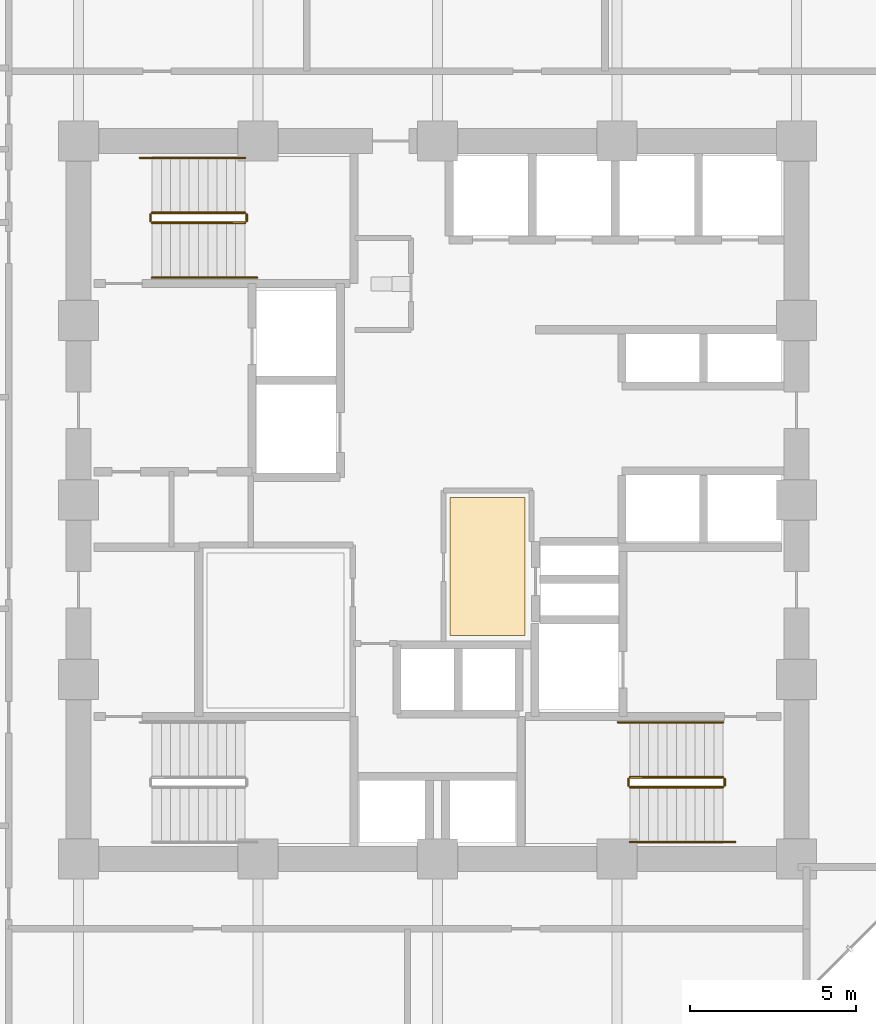
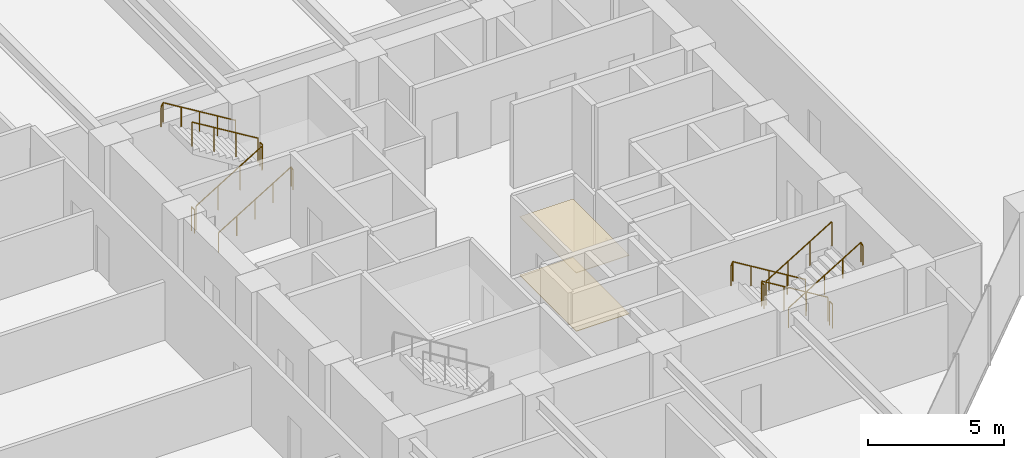
# One storey, part 25 of 27: 12 railings, 2 coverings.
"""IFC4 building model written with IfcOpenShell, lengths in metres."""

from ifc_helpers import new_model, si_unit, direction, frame, origin, origin_2d, place, context, subcontext, project, spatial, polyline, circle, outline, extrude, material, layer, layer_set, type_object, element, save


model = new_model("IFC4")

# Units and contexts
model_context = context("Model", 3, precision=1e-05, world=origin(), true_north=direction((0.0, 1.0)))
body_context = subcontext(model_context, "Body", "Model", "MODEL_VIEW")
ifc_project = project(units=[si_unit("LENGTHUNIT", "METRE"), si_unit("AREAUNIT", "SQUARE_METRE"), si_unit("VOLUMEUNIT", "CUBIC_METRE"), si_unit("PLANEANGLEUNIT", "RADIAN"), si_unit("MASSUNIT", "GRAM", prefix="KILO")], contexts=[model_context])

# Site, building, storey
site_placement = place(None, origin())
site = spatial("IfcSite", under=ifc_project, at=site_placement, CompositionType="ELEMENT")
building_placement = place(site_placement, origin())
building = spatial("IfcBuilding", under=site, at=building_placement, Name="Surkhivell Harbour Commons", CompositionType="ELEMENT")
storey_placement = place(building_placement, frame((0.0, 0.0, 56.25)))
storey = spatial("IfcBuildingStorey", under=building, at=storey_placement, Name="L14", CompositionType="ELEMENT", Elevation=56.25)

# Coverings
ifc_material_1 = material(Name="Perforated acoustic mineral-fibre ceiling tile", Category="other")
ifc_layer_1 = layer(ifc_material_1, 0.02490234375)
ifc_layer_set_1 = layer_set([ifc_layer_1], Name="Perforated acoustic mineral-fibre ceiling tile")
covering_type_1 = type_object("IfcCoveringType", Name="COV-CEIL-AC", PredefinedType="CEILING", material=ifc_layer_set_1)
covering_1_placement = place(storey_placement, frame((0.0, 0.0, 2.617919921875)))
element("IfcCovering", 1, at=covering_1_placement, inside=storey, type_object=covering_type_1, Name="L14 Suspended Acoustic Ceiling 1", PredefinedType="CEILING", context=body_context, shape_type="SweptSolid", body=[
    extrude(outline(polyline([(0.3701171875, -4.080078125), (2.6298828125, -4.080078125), (2.6298828125, 0.080078125), (0.3701171875, 0.080078125), (0.3701171875, -4.080078125)])), origin(), (0.0, 0.0, 1.0), 0.025146484375),
])
ifc_material_2 = material(Name="Engineered acoustic oak timber flooring", Category="wood")
ifc_layer_2 = layer(ifc_material_2, 0.02001953125)
ifc_layer_set_2 = layer_set([ifc_layer_2], Name="Engineered acoustic oak timber flooring")
covering_type_2 = type_object("IfcCoveringType", Name="COV-FLR-TIM", PredefinedType="FLOORING", material=ifc_layer_set_2)
covering_2_placement = place(storey_placement, origin())
element("IfcCovering", 2, at=covering_2_placement, inside=storey, type_object=covering_type_2, Name="L14 Interior Floor Finish 1", PredefinedType="FLOORING", context=body_context, shape_type="SweptSolid", body=[
    extrude(outline(polyline([(0.3701171875, -4.080078125), (2.6298828125, -4.080078125), (2.6298828125, 0.080078125), (0.3701171875, 0.080078125), (0.3701171875, -4.080078125)])), origin(), (0.0, 0.0, 1.0), 0.02001953125),
])

# Railings
ifc_material_3 = material(Name="Galvanised and painted steel S355 guard rail", Category="steel")
railing_type_1 = type_object("IfcRailingType", Name="RAL-ST-GRD1100", PredefinedType="GUARDRAIL", material=ifc_material_3)
railing_1_placement = place(storey_placement, frame((-8.590087890625, 8.340087890625, 0.17041015625)))
element("IfcRailing", 3, at=railing_1_placement, inside=storey, type_object=railing_type_1, Name="L14 ST1 stair guard 1", PredefinedType="GUARDRAIL", context=body_context, shape_type="SweptSolid", body=[
    extrude(circle(Radius=0.02392578125, at=origin_2d()), frame((0.0, 0.0, 1.076171875), z_axis=(0.854169791009, 0.0, 0.51999420009), x_axis=(0.0, 1.0, 0.0)), (0.0, 0.0, 1.0), 3.278076171875),
    extrude(circle(Radius=0.02099609375, at=origin_2d()), origin(), (0.0, 0.0, 1.0), 1.052001953125),
    extrude(circle(Radius=0.02099609375, at=origin_2d()), frame((0.933349609375, 0.0, 0.568115234375)), (0.0, 0.0, 1.0), 1.052001953125),
    extrude(circle(Radius=0.02099609375, at=origin_2d()), frame((1.86669921875, 0.0, 1.136474609375)), (0.0, 0.0, 1.0), 1.052001953125),
    extrude(circle(Radius=0.02099609375, at=origin_2d()), frame((2.800048828125, 0.0, 1.70458984375)), (0.0, 0.0, 1.0), 1.052001953125),
])
railing_2_placement = place(storey_placement, frame((-5.739990234375, 8.389892578125, 1.875)))
element("IfcRailing", 4, at=railing_2_placement, inside=storey, type_object=railing_type_1, Name="L14 ST1 stair guard 2", PredefinedType="GUARDRAIL", context=body_context, shape_type="SweptSolid", body=[
    extrude(circle(Radius=0.02392578125, at=origin_2d()), frame((0.0, 0.0, 1.076171875), z_axis=(0.0, 1.0, 0.0), x_axis=(-1.0, 0.0, 0.0)), (0.0, 0.0, 1.0), 0.2001953125),
    extrude(circle(Radius=0.02099609375, at=origin_2d()), origin(), (0.0, 0.0, 1.0), 1.052001953125),
    extrude(circle(Radius=0.02099609375, at=origin_2d()), frame((0.0, 0.2001953125, 0.0)), (0.0, 0.0, 1.0), 1.052001953125),
])
railing_3_placement = place(storey_placement, frame((-5.7900390625, 8.639892578125, 2.04541015625)))
element("IfcRailing", 5, at=railing_3_placement, inside=storey, type_object=railing_type_1, Name="L14 ST1 stair guard 3", PredefinedType="GUARDRAIL", context=body_context, shape_type="SweptSolid", body=[
    extrude(circle(Radius=0.02392578125, at=origin_2d()), frame((0.0, 0.0, 1.076171875), z_axis=(-0.854169791009, 0.0, 0.51999420009), x_axis=(0.0, -1.0, 0.0)), (0.0, 0.0, 1.0), 3.278076171875),
    extrude(circle(Radius=0.02099609375, at=origin_2d()), origin(), (0.0, 0.0, 1.0), 1.052001953125),
    extrude(circle(Radius=0.02099609375, at=origin_2d()), frame((-0.933349609375, 0.0, 0.568115234375)), (0.0, 0.0, 1.0), 1.052001953125),
    extrude(circle(Radius=0.02099609375, at=origin_2d()), frame((-1.86669921875, 0.0, 1.136474609375)), (0.0, 0.0, 1.0), 1.052001953125),
    extrude(circle(Radius=0.02099609375, at=origin_2d()), frame((-2.800048828125, 0.0, 1.70458984375)), (0.0, 0.0, 1.0), 1.052001953125),
])
railing_4_placement = place(storey_placement, frame((-8.639892578125, 8.389892578125, 0.0)))
element("IfcRailing", 6, at=railing_4_placement, inside=storey, type_object=railing_type_1, Name="L14 ST1 stair guard 4", PredefinedType="GUARDRAIL", context=body_context, shape_type="SweptSolid", body=[
    extrude(circle(Radius=0.02392578125, at=origin_2d()), frame((0.0, 0.0, 1.076171875), z_axis=(0.0, 1.0, 0.0), x_axis=(-1.0, 0.0, 0.0)), (0.0, 0.0, 1.0), 0.2001953125),
    extrude(circle(Radius=0.02099609375, at=origin_2d()), origin(), (0.0, 0.0, 1.0), 1.052001953125),
    extrude(circle(Radius=0.02099609375, at=origin_2d()), frame((0.0, 0.2001953125, 0.0)), (0.0, 0.0, 1.0), 1.052001953125),
])
railing_5_placement = place(storey_placement, frame((8.590087890625, -8.340087890625, 0.17041015625)))
element("IfcRailing", 7, at=railing_5_placement, inside=storey, type_object=railing_type_1, Name="L14 ST2 stair guard 1", PredefinedType="GUARDRAIL", context=body_context, shape_type="SweptSolid", body=[
    extrude(circle(Radius=0.02392578125, at=origin_2d()), frame((0.0, 0.0, 1.076171875), z_axis=(-0.854169791009, 0.0, 0.51999420009), x_axis=(0.0, -1.0, 0.0)), (0.0, 0.0, 1.0), 3.278076171875),
    extrude(circle(Radius=0.02099609375, at=origin_2d()), origin(), (0.0, 0.0, 1.0), 1.052001953125),
    extrude(circle(Radius=0.02099609375, at=origin_2d()), frame((-0.933349609375, 0.0, 0.568115234375)), (0.0, 0.0, 1.0), 1.052001953125),
    extrude(circle(Radius=0.02099609375, at=origin_2d()), frame((-1.86669921875, 0.0, 1.136474609375)), (0.0, 0.0, 1.0), 1.052001953125),
    extrude(circle(Radius=0.02099609375, at=origin_2d()), frame((-2.800048828125, 0.0, 1.70458984375)), (0.0, 0.0, 1.0), 1.052001953125),
])
railing_6_placement = place(storey_placement, frame((5.739990234375, -8.389892578125, 1.875)))
element("IfcRailing", 8, at=railing_6_placement, inside=storey, type_object=railing_type_1, Name="L14 ST2 stair guard 2", PredefinedType="GUARDRAIL", context=body_context, shape_type="SweptSolid", body=[
    extrude(circle(Radius=0.02392578125, at=origin_2d()), frame((0.0, 0.0, 1.076171875), z_axis=(0.0, -1.0, 0.0), x_axis=(1.0, 0.0, 0.0)), (0.0, 0.0, 1.0), 0.2001953125),
    extrude(circle(Radius=0.02099609375, at=origin_2d()), origin(), (0.0, 0.0, 1.0), 1.052001953125),
    extrude(circle(Radius=0.02099609375, at=origin_2d()), frame((0.0, -0.2001953125, 0.0)), (0.0, 0.0, 1.0), 1.052001953125),
])
railing_7_placement = place(storey_placement, frame((5.7900390625, -8.639892578125, 2.04541015625)))
element("IfcRailing", 9, at=railing_7_placement, inside=storey, type_object=railing_type_1, Name="L14 ST2 stair guard 3", PredefinedType="GUARDRAIL", context=body_context, shape_type="SweptSolid", body=[
    extrude(circle(Radius=0.02392578125, at=origin_2d()), frame((0.0, 0.0, 1.076171875), z_axis=(0.854169791009, 0.0, 0.51999420009), x_axis=(0.0, 1.0, 0.0)), (0.0, 0.0, 1.0), 3.278076171875),
    extrude(circle(Radius=0.02099609375, at=origin_2d()), origin(), (0.0, 0.0, 1.0), 1.052001953125),
    extrude(circle(Radius=0.02099609375, at=origin_2d()), frame((0.933349609375, 0.0, 0.568115234375)), (0.0, 0.0, 1.0), 1.052001953125),
    extrude(circle(Radius=0.02099609375, at=origin_2d()), frame((1.86669921875, 0.0, 1.136474609375)), (0.0, 0.0, 1.0), 1.052001953125),
    extrude(circle(Radius=0.02099609375, at=origin_2d()), frame((2.800048828125, 0.0, 1.70458984375)), (0.0, 0.0, 1.0), 1.052001953125),
])
railing_8_placement = place(storey_placement, frame((8.639892578125, -8.389892578125, 0.0)))
element("IfcRailing", 10, at=railing_8_placement, inside=storey, type_object=railing_type_1, Name="L14 ST2 stair guard 4", PredefinedType="GUARDRAIL", context=body_context, shape_type="SweptSolid", body=[
    extrude(circle(Radius=0.02392578125, at=origin_2d()), frame((0.0, 0.0, 1.076171875), z_axis=(0.0, -1.0, 0.0), x_axis=(1.0, 0.0, 0.0)), (0.0, 0.0, 1.0), 0.2001953125),
    extrude(circle(Radius=0.02099609375, at=origin_2d()), origin(), (0.0, 0.0, 1.0), 1.052001953125),
    extrude(circle(Radius=0.02099609375, at=origin_2d()), frame((0.0, -0.2001953125, 0.0)), (0.0, 0.0, 1.0), 1.052001953125),
])
ifc_material_4 = material(Name="Brushed stainless steel S355 handrail", Category="steel")
railing_type_2 = type_object("IfcRailingType", Name="RAL-ST-HND900", PredefinedType="HANDRAIL", material=ifc_material_4)
railing_9_placement = place(storey_placement, frame((-8.590087890625, 6.68994140625, 0.17041015625)))
element("IfcRailing", 11, at=railing_9_placement, inside=storey, type_object=railing_type_2, Name="L14 ST1 stair handrail 1", PredefinedType="HANDRAIL", context=body_context, shape_type="SweptSolid", body=[
    extrude(circle(Radius=0.02392578125, at=origin_2d()), frame((0.0, 0.0, 0.8759765625), z_axis=(0.854177636135, 0.0, 0.519981313056), x_axis=(0.0, 1.0, 0.0)), (0.0, 0.0, 1.0), 3.60595703125),
    extrude(circle(Radius=0.02392578125, at=origin_2d()), frame((3.080078125, 0.0, 2.7509765625), z_axis=(0.425297416671, 0.0, -0.905053648892), x_axis=(0.0, 1.0, 0.0)), (0.0, 0.0, 1.0), 0.188232421875),
    extrude(circle(Radius=0.02099609375, at=origin_2d()), origin(), (0.0, 0.0, 1.0), 0.851806640625),
    extrude(circle(Radius=0.02099609375, at=origin_2d()), frame((0.77001953125, 0.0, 0.46875)), (0.0, 0.0, 1.0), 0.851806640625),
    extrude(circle(Radius=0.02099609375, at=origin_2d()), frame((1.5400390625, 0.0, 0.9375)), (0.0, 0.0, 1.0), 0.851806640625),
    extrude(circle(Radius=0.02099609375, at=origin_2d()), frame((2.31005859375, 0.0, 1.40625)), (0.0, 0.0, 1.0), 0.851806640625),
    extrude(circle(Radius=0.02099609375, at=origin_2d()), frame((3.080078125, 0.0, 1.875)), (0.0, 0.0, 1.0), 0.851806640625),
    extrude(circle(Radius=0.02099609375, at=origin_2d()), frame((3.16015625, 0.0, 1.70458984375)), (0.0, 0.0, 1.0), 0.851806640625),
])
railing_10_placement = place(storey_placement, frame((-5.7900390625, 10.2900390625, 2.04541015625)))
element("IfcRailing", 12, at=railing_10_placement, inside=storey, type_object=railing_type_2, Name="L14 ST1 stair handrail 2", PredefinedType="HANDRAIL", context=body_context, shape_type="SweptSolid", body=[
    extrude(circle(Radius=0.02392578125, at=origin_2d()), frame((0.0, 0.0, 0.8759765625), z_axis=(-0.854177636135, 0.0, 0.519981313056), x_axis=(0.0, -1.0, 0.0)), (0.0, 0.0, 1.0), 3.60595703125),
    extrude(circle(Radius=0.02392578125, at=origin_2d()), frame((-3.080078125, 0.0, 2.7509765625), z_axis=(-0.424234432967, 0.0, -0.905552398199), x_axis=(0.0, -1.0, 0.0)), (0.0, 0.0, 1.0), 0.188232421875),
    extrude(circle(Radius=0.02099609375, at=origin_2d()), origin(), (0.0, 0.0, 1.0), 0.851806640625),
    extrude(circle(Radius=0.02099609375, at=origin_2d()), frame((-0.77001953125, 0.0, 0.46875)), (0.0, 0.0, 1.0), 0.851806640625),
    extrude(circle(Radius=0.02099609375, at=origin_2d()), frame((-1.5400390625, 0.0, 0.9375)), (0.0, 0.0, 1.0), 0.851806640625),
    extrude(circle(Radius=0.02099609375, at=origin_2d()), frame((-2.31005859375, 0.0, 1.40625)), (0.0, 0.0, 1.0), 0.851806640625),
    extrude(circle(Radius=0.02099609375, at=origin_2d()), frame((-3.080078125, 0.0, 1.875)), (0.0, 0.0, 1.0), 0.851806640625),
    extrude(circle(Radius=0.02099609375, at=origin_2d()), frame((-3.159912109375, 0.0, 1.70458984375)), (0.0, 0.0, 1.0), 0.851806640625),
])
railing_11_placement = place(storey_placement, frame((8.590087890625, -6.68994140625, 0.17041015625)))
element("IfcRailing", 13, at=railing_11_placement, inside=storey, type_object=railing_type_2, Name="L14 ST2 stair handrail 1", PredefinedType="HANDRAIL", context=body_context, shape_type="SweptSolid", body=[
    extrude(circle(Radius=0.02392578125, at=origin_2d()), frame((0.0, 0.0, 0.8759765625), z_axis=(-0.854177636135, 0.0, 0.519981313056), x_axis=(0.0, -1.0, 0.0)), (0.0, 0.0, 1.0), 3.60595703125),
    extrude(circle(Radius=0.02392578125, at=origin_2d()), frame((-3.080078125, 0.0, 2.7509765625), z_axis=(-0.425297416671, 0.0, -0.905053648892), x_axis=(0.0, -1.0, 0.0)), (0.0, 0.0, 1.0), 0.188232421875),
    extrude(circle(Radius=0.02099609375, at=origin_2d()), origin(), (0.0, 0.0, 1.0), 0.851806640625),
    extrude(circle(Radius=0.02099609375, at=origin_2d()), frame((-0.77001953125, 0.0, 0.46875)), (0.0, 0.0, 1.0), 0.851806640625),
    extrude(circle(Radius=0.02099609375, at=origin_2d()), frame((-1.5400390625, 0.0, 0.9375)), (0.0, 0.0, 1.0), 0.851806640625),
    extrude(circle(Radius=0.02099609375, at=origin_2d()), frame((-2.31005859375, 0.0, 1.40625)), (0.0, 0.0, 1.0), 0.851806640625),
    extrude(circle(Radius=0.02099609375, at=origin_2d()), frame((-3.080078125, 0.0, 1.875)), (0.0, 0.0, 1.0), 0.851806640625),
    extrude(circle(Radius=0.02099609375, at=origin_2d()), frame((-3.16015625, 0.0, 1.70458984375)), (0.0, 0.0, 1.0), 0.851806640625),
])
railing_12_placement = place(storey_placement, frame((5.7900390625, -10.2900390625, 2.04541015625)))
element("IfcRailing", 14, at=railing_12_placement, inside=storey, type_object=railing_type_2, Name="L14 ST2 stair handrail 2", PredefinedType="HANDRAIL", context=body_context, shape_type="SweptSolid", body=[
    extrude(circle(Radius=0.02392578125, at=origin_2d()), frame((0.0, 0.0, 0.8759765625), z_axis=(0.854177636135, 0.0, 0.519981313056), x_axis=(0.0, 1.0, 0.0)), (0.0, 0.0, 1.0), 3.60595703125),
    extrude(circle(Radius=0.02392578125, at=origin_2d()), frame((3.080078125, 0.0, 2.7509765625), z_axis=(0.424234432967, 0.0, -0.905552398199), x_axis=(0.0, 1.0, 0.0)), (0.0, 0.0, 1.0), 0.188232421875),
    extrude(circle(Radius=0.02099609375, at=origin_2d()), origin(), (0.0, 0.0, 1.0), 0.851806640625),
    extrude(circle(Radius=0.02099609375, at=origin_2d()), frame((0.77001953125, 0.0, 0.46875)), (0.0, 0.0, 1.0), 0.851806640625),
    extrude(circle(Radius=0.02099609375, at=origin_2d()), frame((1.5400390625, 0.0, 0.9375)), (0.0, 0.0, 1.0), 0.851806640625),
    extrude(circle(Radius=0.02099609375, at=origin_2d()), frame((2.31005859375, 0.0, 1.40625)), (0.0, 0.0, 1.0), 0.851806640625),
    extrude(circle(Radius=0.02099609375, at=origin_2d()), frame((3.080078125, 0.0, 1.875)), (0.0, 0.0, 1.0), 0.851806640625),
    extrude(circle(Radius=0.02099609375, at=origin_2d()), frame((3.159912109375, 0.0, 1.70458984375)), (0.0, 0.0, 1.0), 0.851806640625),
])

save(model, "model.ifc")
